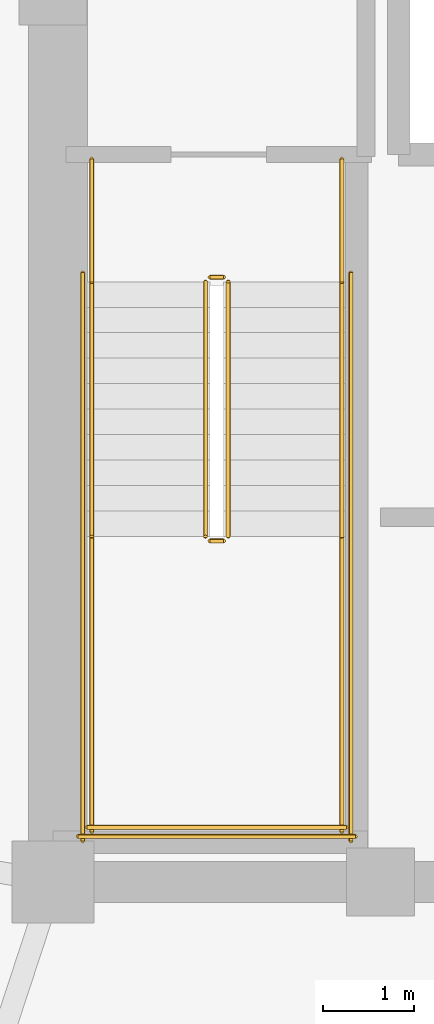
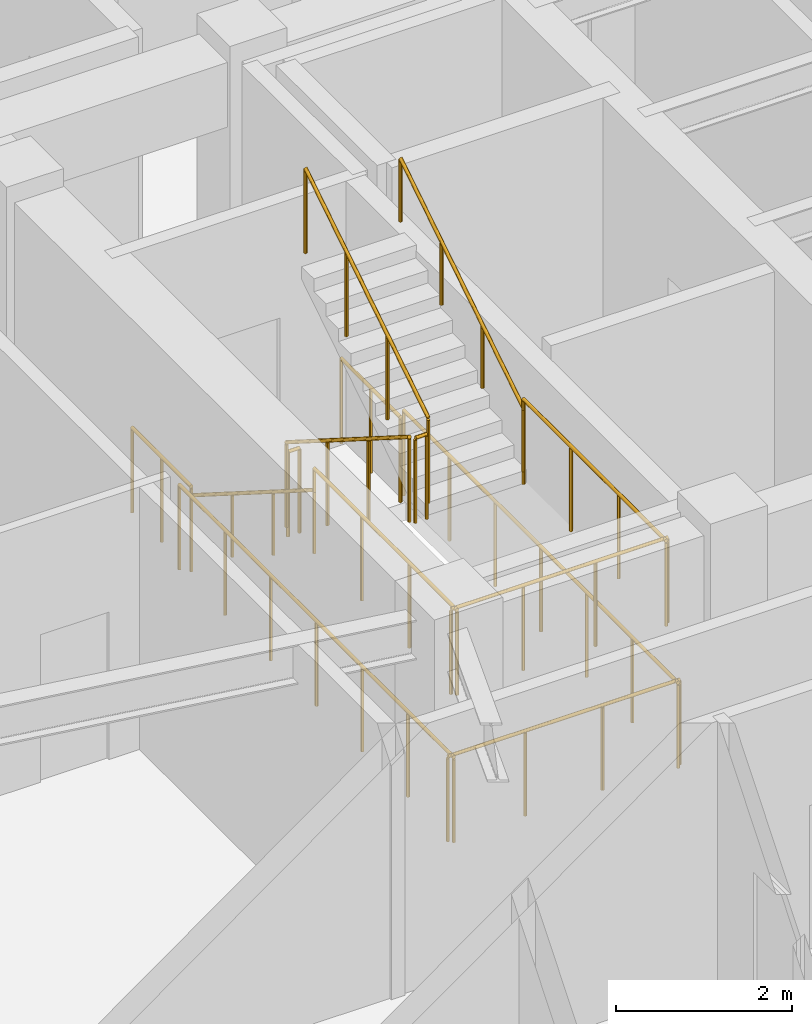
# One storey, part 10 of 11: 14 railings.
"""IFC4 building model written with IfcOpenShell, lengths in metres."""

from ifc_helpers import new_model, si_unit, direction, frame, origin, origin_2d, place, context, subcontext, project, spatial, circle, extrude, material, type_object, element, save


model = new_model("IFC4")

# Units and contexts
model_context = context("Model", 3, precision=1e-05, world=origin(), true_north=direction((0.0, 1.0)))
body_context = subcontext(model_context, "Body", "Model", "MODEL_VIEW")
ifc_project = project(units=[si_unit("LENGTHUNIT", "METRE"), si_unit("AREAUNIT", "SQUARE_METRE"), si_unit("VOLUMEUNIT", "CUBIC_METRE"), si_unit("PLANEANGLEUNIT", "RADIAN"), si_unit("MASSUNIT", "GRAM", prefix="KILO")], contexts=[model_context])

# Site, building, storey
site_placement = place(None, origin())
site = spatial("IfcSite", under=ifc_project, at=site_placement, CompositionType="ELEMENT")
building_placement = place(site_placement, origin())
building = spatial("IfcBuilding", under=site, at=building_placement, Name="Voryun Gate Residences", CompositionType="ELEMENT")
storey_placement = place(building_placement, frame((0.0, 0.0, 223.60009765625)))
storey = spatial("IfcBuildingStorey", under=building, at=storey_placement, Name="L55", CompositionType="ELEMENT", Elevation=223.60009765625)

# Railings
ifc_material_1 = material(Name="Painted steel", Category="steel")
railing_type_1 = type_object("IfcRailingType", Name="RAIL_STAIR_GUARD_1200", PredefinedType="GUARDRAIL", material=ifc_material_1)
railing_1_placement = place(storey_placement, frame((-17.52490234375, -0.800048828125, 0.17724609375)))
element("IfcRailing", 1, at=railing_1_placement, inside=storey, type_object=railing_type_1, Name="L55 ST-W1 stair guard 1", PredefinedType="GUARDRAIL", context=body_context, shape_type="SweptSolid", body=[
    extrude(circle(Radius=0.02392578125, at=origin_2d()), frame((0.0, 0.0, 1.17578125), z_axis=(0.0, -0.844908973607, 0.534910110503), x_axis=(1.0, 0.0, 0.0)), (0.0, 0.0, 1.0), 3.31396484375),
    extrude(circle(Radius=0.02099609375, at=origin_2d()), origin(), (0.0, 0.0, 1.0), 1.15185546875),
    extrude(circle(Radius=0.02099609375, at=origin_2d()), frame((0.0, -0.933349609375, 0.5908203125)), (0.0, 0.0, 1.0), 1.15185546875),
    extrude(circle(Radius=0.02099609375, at=origin_2d()), frame((0.0, -1.86669921875, 1.181884765625)), (0.0, 0.0, 1.0), 1.15185546875),
    extrude(circle(Radius=0.02099609375, at=origin_2d()), frame((0.0, -2.800048828125, 1.772705078125)), (0.0, 0.0, 1.0), 1.15185546875),
])
railing_2_placement = place(storey_placement, frame((-17.47509765625, -3.64990234375, 1.949951171875)))
element("IfcRailing", 2, at=railing_2_placement, inside=storey, type_object=railing_type_1, Name="L55 ST-W1 stair guard 2", PredefinedType="GUARDRAIL", context=body_context, shape_type="SweptSolid", body=[
    extrude(circle(Radius=0.02392578125, at=origin_2d()), frame((0.0, 0.0, 1.17578125), z_axis=(1.0, 0.0, 0.0), x_axis=(0.0, 1.0, 0.0)), (0.0, 0.0, 1.0), 0.150146484375),
    extrude(circle(Radius=0.02099609375, at=origin_2d()), origin(), (0.0, 0.0, 1.0), 1.15185546875),
    extrude(circle(Radius=0.02099609375, at=origin_2d()), frame((0.150146484375, 0.0, 0.0)), (0.0, 0.0, 1.0), 1.15185546875),
])
for number, where, name in (
    (3, (-18.77490234375, -3.60009765625, 1.949951171875), "L55 ST-W1 stair guard 3"),
    (4, (-16.02490234375, -3.60009765625, 1.949951171875), "L55 ST-W1 stair guard 4"),
):
    element("IfcRailing", number, at=place(storey_placement, frame(where)), inside=storey, type_object=railing_type_1, Name=name, PredefinedType="GUARDRAIL", context=body_context, shape_type="SweptSolid", body=[
        extrude(circle(Radius=0.02392578125, at=origin_2d()), frame((0.0, 0.0, 1.17578125), z_axis=(0.0, -1.0, 0.0), x_axis=(1.0, 0.0, 0.0)), (0.0, 0.0, 1.0), 3.25),
        extrude(circle(Radius=0.02099609375, at=origin_2d()), origin(), (0.0, 0.0, 1.0), 1.15185546875),
        extrude(circle(Radius=0.02099609375, at=origin_2d()), frame((0.0, -1.083251953125, 0.0)), (0.0, 0.0, 1.0), 1.15185546875),
        extrude(circle(Radius=0.02099609375, at=origin_2d()), frame((0.0, -2.166748046875, 0.0)), (0.0, 0.0, 1.0), 1.15185546875),
        extrude(circle(Radius=0.02099609375, at=origin_2d()), frame((0.0, -3.25, 0.0)), (0.0, 0.0, 1.0), 1.15185546875),
    ])
railing_3_placement = place(storey_placement, frame((-18.824951171875, -6.800048828125, 1.949951171875)))
element("IfcRailing", 5, at=railing_3_placement, inside=storey, type_object=railing_type_1, Name="L55 ST-W1 stair guard 5", PredefinedType="GUARDRAIL", context=body_context, shape_type="SweptSolid", body=[
    extrude(circle(Radius=0.02392578125, at=origin_2d()), frame((0.0, 0.0, 1.17578125), z_axis=(1.0, 0.0, 0.0), x_axis=(0.0, 1.0, 0.0)), (0.0, 0.0, 1.0), 2.849853515625),
    extrude(circle(Radius=0.02099609375, at=origin_2d()), origin(), (0.0, 0.0, 1.0), 1.15185546875),
    extrude(circle(Radius=0.02099609375, at=origin_2d()), frame((0.949951171875, 0.0, 0.0)), (0.0, 0.0, 1.0), 1.15185546875),
    extrude(circle(Radius=0.02099609375, at=origin_2d()), frame((1.89990234375, 0.0, 0.0)), (0.0, 0.0, 1.0), 1.15185546875),
    extrude(circle(Radius=0.02099609375, at=origin_2d()), frame((2.849853515625, 0.0, 0.0)), (0.0, 0.0, 1.0), 1.15185546875),
])
railing_4_placement = place(storey_placement, frame((-17.27490234375, -3.60009765625, 2.127197265625)))
element("IfcRailing", 6, at=railing_4_placement, inside=storey, type_object=railing_type_1, Name="L55 ST-W1 stair guard 6", PredefinedType="GUARDRAIL", context=body_context, shape_type="SweptSolid", body=[
    extrude(circle(Radius=0.02392578125, at=origin_2d()), frame((0.0, 0.0, 1.17578125), z_axis=(0.0, 0.844908973607, 0.534910110503), x_axis=(-1.0, 0.0, 0.0)), (0.0, 0.0, 1.0), 3.31396484375),
    extrude(circle(Radius=0.02099609375, at=origin_2d()), origin(), (0.0, 0.0, 1.0), 1.15185546875),
    extrude(circle(Radius=0.02099609375, at=origin_2d()), frame((0.0, 0.933349609375, 0.5908203125)), (0.0, 0.0, 1.0), 1.15185546875),
    extrude(circle(Radius=0.02099609375, at=origin_2d()), frame((0.0, 1.86669921875, 1.181884765625)), (0.0, 0.0, 1.0), 1.15185546875),
    extrude(circle(Radius=0.02099609375, at=origin_2d()), frame((0.0, 2.800048828125, 1.772705078125)), (0.0, 0.0, 1.0), 1.15185546875),
])
railing_5_placement = place(storey_placement, frame((-17.47509765625, -0.75, 0.0)))
element("IfcRailing", 7, at=railing_5_placement, inside=storey, type_object=railing_type_1, Name="L55 ST-W1 stair guard 7", PredefinedType="GUARDRAIL", context=body_context, shape_type="SweptSolid", body=[
    extrude(circle(Radius=0.02392578125, at=origin_2d()), frame((0.0, 0.0, 1.17578125), z_axis=(1.0, 0.0, 0.0), x_axis=(0.0, 1.0, 0.0)), (0.0, 0.0, 1.0), 0.150146484375),
    extrude(circle(Radius=0.02099609375, at=origin_2d()), origin(), (0.0, 0.0, 1.0), 1.15185546875),
    extrude(circle(Radius=0.02099609375, at=origin_2d()), frame((0.150146484375, 0.0, 0.0)), (0.0, 0.0, 1.0), 1.15185546875),
])
for number, where, name in (
    (8, (-18.77490234375, 0.550048828125, 0.0), "L55 ST-W1 stair guard 8"),
    (9, (-16.02490234375, 0.550048828125, 0.0), "L55 ST-W1 stair guard 9"),
):
    element("IfcRailing", number, at=place(storey_placement, frame(where)), inside=storey, type_object=railing_type_1, Name=name, PredefinedType="GUARDRAIL", context=body_context, shape_type="SweptSolid", body=[
        extrude(circle(Radius=0.02392578125, at=origin_2d()), frame((0.0, 0.0, 1.17578125), z_axis=(0.0, -1.0, 0.0), x_axis=(1.0, 0.0, 0.0)), (0.0, 0.0, 1.0), 1.35009765625),
        extrude(circle(Radius=0.02099609375, at=origin_2d()), origin(), (0.0, 0.0, 1.0), 1.15185546875),
        extrude(circle(Radius=0.02099609375, at=origin_2d()), frame((0.0, -0.675048828125, 0.0)), (0.0, 0.0, 1.0), 1.15185546875),
        extrude(circle(Radius=0.02099609375, at=origin_2d()), frame((0.0, -1.35009765625, 0.0)), (0.0, 0.0, 1.0), 1.15185546875),
    ])
for number, where, name in (
    (10, (-18.875, -0.699951171875, 0.0), "L55 ST-W1 stair guard 10"),
    (11, (-15.925048828125, -0.699951171875, 0.0), "L55 ST-W1 stair guard 11"),
):
    element("IfcRailing", number, at=place(storey_placement, frame(where)), inside=storey, type_object=railing_type_1, Name=name, PredefinedType="GUARDRAIL", context=body_context, shape_type="SweptSolid", body=[
        extrude(circle(Radius=0.02392578125, at=origin_2d()), frame((0.0, 0.0, 1.17578125), z_axis=(0.0, -1.0, 0.0), x_axis=(1.0, 0.0, 0.0)), (0.0, 0.0, 1.0), 6.25),
        extrude(circle(Radius=0.02099609375, at=origin_2d()), origin(), (0.0, 0.0, 1.0), 1.15185546875),
        extrude(circle(Radius=0.02099609375, at=origin_2d()), frame((0.0, -1.041748046875, 0.0)), (0.0, 0.0, 1.0), 1.15185546875),
        extrude(circle(Radius=0.02099609375, at=origin_2d()), frame((0.0, -2.083251953125, 0.0)), (0.0, 0.0, 1.0), 1.15185546875),
        extrude(circle(Radius=0.02099609375, at=origin_2d()), frame((0.0, -3.125, 0.0)), (0.0, 0.0, 1.0), 1.15185546875),
        extrude(circle(Radius=0.02099609375, at=origin_2d()), frame((0.0, -4.166748046875, 0.0)), (0.0, 0.0, 1.0), 1.15185546875),
        extrude(circle(Radius=0.02099609375, at=origin_2d()), frame((0.0, -5.208251953125, 0.0)), (0.0, 0.0, 1.0), 1.15185546875),
        extrude(circle(Radius=0.02099609375, at=origin_2d()), frame((0.0, -6.25, 0.0)), (0.0, 0.0, 1.0), 1.15185546875),
    ])
railing_6_placement = place(storey_placement, frame((-18.925048828125, -6.89990234375, 0.0)))
element("IfcRailing", 12, at=railing_6_placement, inside=storey, type_object=railing_type_1, Name="L55 ST-W1 stair guard 12", PredefinedType="GUARDRAIL", context=body_context, shape_type="SweptSolid", body=[
    extrude(circle(Radius=0.02392578125, at=origin_2d()), frame((0.0, 0.0, 1.17578125), z_axis=(1.0, 0.0, 0.0), x_axis=(0.0, 1.0, 0.0)), (0.0, 0.0, 1.0), 3.050048828125),
    extrude(circle(Radius=0.02099609375, at=origin_2d()), origin(), (0.0, 0.0, 1.0), 1.15185546875),
    extrude(circle(Radius=0.02099609375, at=origin_2d()), frame((1.0166015625, 0.0, 0.0)), (0.0, 0.0, 1.0), 1.15185546875),
    extrude(circle(Radius=0.02099609375, at=origin_2d()), frame((2.033447265625, 0.0, 0.0)), (0.0, 0.0, 1.0), 1.15185546875),
    extrude(circle(Radius=0.02099609375, at=origin_2d()), frame((3.050048828125, 0.0, 0.0)), (0.0, 0.0, 1.0), 1.15185546875),
])
ifc_material_2 = material(Name="Painted steel", Category="steel")
railing_type_2 = type_object("IfcRailingType", Name="RAIL_STAIR_HANDRAIL_900", PredefinedType="HANDRAIL", material=ifc_material_2)
railing_7_placement = place(storey_placement, frame((-18.77490234375, -0.800048828125, 0.17724609375)))
element("IfcRailing", 13, at=railing_7_placement, inside=storey, type_object=railing_type_2, Name="L55 ST-W1 stair handrail 1", PredefinedType="HANDRAIL", context=body_context, shape_type="SweptSolid", body=[
    extrude(circle(Radius=0.02392578125, at=origin_2d()), frame((0.0, 0.0, 0.8759765625), z_axis=(0.0, -0.844908973607, 0.534910110503), x_axis=(1.0, 0.0, 0.0)), (0.0, 0.0, 1.0), 3.31396484375),
    extrude(circle(Radius=0.02099609375, at=origin_2d()), origin(), (0.0, 0.0, 1.0), 0.851806640625),
    extrude(circle(Radius=0.02099609375, at=origin_2d()), frame((0.0, -0.933349609375, 0.5908203125)), (0.0, 0.0, 1.0), 0.851806640625),
    extrude(circle(Radius=0.02099609375, at=origin_2d()), frame((0.0, -1.86669921875, 1.181884765625)), (0.0, 0.0, 1.0), 0.851806640625),
    extrude(circle(Radius=0.02099609375, at=origin_2d()), frame((0.0, -2.800048828125, 1.772705078125)), (0.0, 0.0, 1.0), 0.851806640625),
])
railing_8_placement = place(storey_placement, frame((-16.02490234375, -3.60009765625, 2.127197265625)))
element("IfcRailing", 14, at=railing_8_placement, inside=storey, type_object=railing_type_2, Name="L55 ST-W1 stair handrail 2", PredefinedType="HANDRAIL", context=body_context, shape_type="SweptSolid", body=[
    extrude(circle(Radius=0.02392578125, at=origin_2d()), frame((0.0, 0.0, 0.8759765625), z_axis=(0.0, 0.844908973607, 0.534910110503), x_axis=(-1.0, 0.0, 0.0)), (0.0, 0.0, 1.0), 3.31396484375),
    extrude(circle(Radius=0.02099609375, at=origin_2d()), origin(), (0.0, 0.0, 1.0), 0.851806640625),
    extrude(circle(Radius=0.02099609375, at=origin_2d()), frame((0.0, 0.933349609375, 0.5908203125)), (0.0, 0.0, 1.0), 0.851806640625),
    extrude(circle(Radius=0.02099609375, at=origin_2d()), frame((0.0, 1.86669921875, 1.181884765625)), (0.0, 0.0, 1.0), 0.851806640625),
    extrude(circle(Radius=0.02099609375, at=origin_2d()), frame((0.0, 2.800048828125, 1.772705078125)), (0.0, 0.0, 1.0), 0.851806640625),
])

save(model, "model.ifc")
